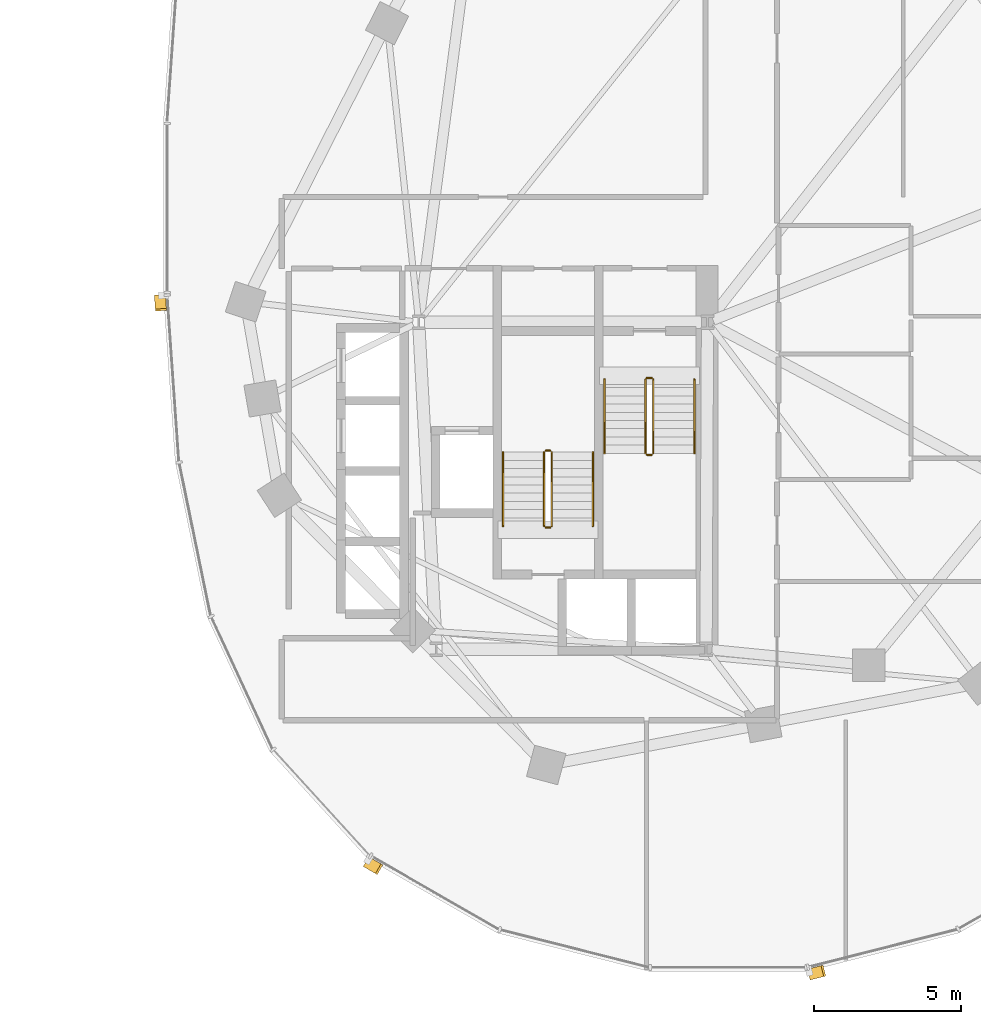
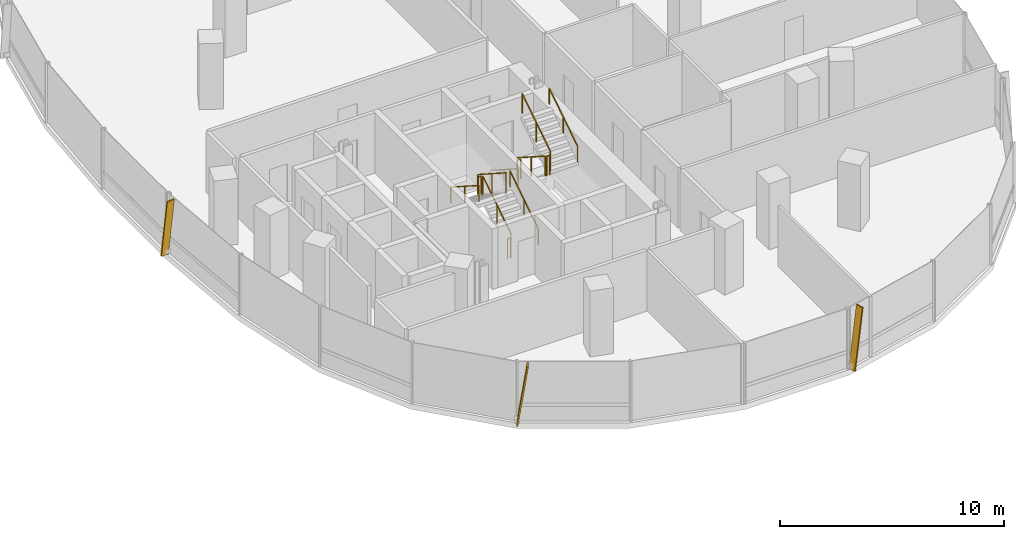
# One storey, part 20 of 21: 12 railings, 3 shading devices.
"""IFC4 building model written with IfcOpenShell, lengths in metres."""

from ifc_helpers import new_model, si_unit, direction, frame, origin, origin_2d, place, context, subcontext, project, spatial, rectangle, extrude, material, material_profile, profile_set, type_object, element, save


model = new_model("IFC4")

# Units and contexts
model_context = context("Model", 3, precision=1e-05, world=origin(), true_north=direction((0.0, 1.0)))
body_context = subcontext(model_context, "Body", "Model", "MODEL_VIEW")
ifc_project = project(units=[si_unit("LENGTHUNIT", "METRE"), si_unit("AREAUNIT", "SQUARE_METRE"), si_unit("VOLUMEUNIT", "CUBIC_METRE"), si_unit("PLANEANGLEUNIT", "RADIAN"), si_unit("MASSUNIT", "GRAM", prefix="KILO"), si_unit("THERMODYNAMICTEMPERATUREUNIT", "KELVIN"), si_unit("POWERUNIT", "WATT")], contexts=[model_context])

# Site, building, storey
site_placement = place(None, origin())
site = spatial("IfcSite", under=ifc_project, at=site_placement, CompositionType="ELEMENT")
building_placement = place(site_placement, origin())
building = spatial("IfcBuilding", under=site, at=building_placement, Name="Cundina Bronze Exchange", CompositionType="ELEMENT")
storey_placement = place(building_placement, frame((0.0, 0.0, 85.39990234375)))
storey = spatial("IfcBuildingStorey", under=building, at=storey_placement, Name="L21", CompositionType="ELEMENT", Elevation=85.39990234375)

# Railings
ifc_material_1 = material(Name="Steel ASTM A36 Painted", Category="steel")
railing_type_1 = type_object("IfcRailingType", Name="RLG-HND-900", PredefinedType="HANDRAIL", material=ifc_material_1)
railing_1_placement = place(storey_placement, frame((27.7900390625, -5.85009765625, 0.18017578125)))
element("IfcRailing", 1, at=railing_1_placement, inside=storey, type_object=railing_type_1, Name="L21 ST-E1 stair handrail 1", PredefinedType="HANDRAIL", context=body_context, shape_type="SweptSolid", body=[
    extrude(rectangle(XDim=0.048095703125, YDim=0.048095703125, at=origin_2d()), frame((0.0, 0.0, 0.8759765625), z_axis=(0.0, -0.841199657755, 0.540724639528), x_axis=(1.0, 0.0, 0.0)), (0.0, 0.0, 1.0), 2.995849609375),
    extrude(rectangle(XDim=0.0419921875, YDim=0.0419921875, at=origin_2d()), origin(), (0.0, 0.0, 1.0), 0.851806640625),
    extrude(rectangle(XDim=0.0419921875, YDim=0.0419921875, at=origin_2d()), frame((0.0, -1.260009765625, 0.81005859375)), (0.0, 0.0, 1.0), 0.851806640625),
    extrude(rectangle(XDim=0.0419921875, YDim=0.0419921875, at=origin_2d()), frame((0.0, -2.52001953125, 1.619873046875)), (0.0, 0.0, 1.0), 0.851806640625),
])
railing_2_placement = place(storey_placement, frame((30.85009765625, -8.3701171875, 1.97998046875)))
element("IfcRailing", 2, at=railing_2_placement, inside=storey, type_object=railing_type_1, Name="L21 ST-E1 stair handrail 2", PredefinedType="HANDRAIL", context=body_context, shape_type="SweptSolid", body=[
    extrude(rectangle(XDim=0.048095703125, YDim=0.048095703125, at=origin_2d()), frame((0.0, 0.0, 0.8759765625), z_axis=(0.0, 0.841162588446, 0.540782303519), x_axis=(-1.0, 0.0, 0.0)), (0.0, 0.0, 1.0), 2.995849609375),
    extrude(rectangle(XDim=0.0419921875, YDim=0.0419921875, at=origin_2d()), origin(), (0.0, 0.0, 1.0), 0.851806640625),
    extrude(rectangle(XDim=0.0419921875, YDim=0.0419921875, at=origin_2d()), frame((0.0, 1.260009765625, 0.81005859375)), (0.0, 0.0, 1.0), 0.851806640625),
    extrude(rectangle(XDim=0.0419921875, YDim=0.0419921875, at=origin_2d()), frame((0.0, 2.52001953125, 1.6201171875)), (0.0, 0.0, 1.0), 0.851806640625),
])
railing_3_placement = place(storey_placement, frame((27.389892578125, -10.85009765625, 0.18017578125)))
element("IfcRailing", 3, at=railing_3_placement, inside=storey, type_object=railing_type_1, Name="L21 ST-E2 stair handrail 1", PredefinedType="HANDRAIL", context=body_context, shape_type="SweptSolid", body=[
    extrude(rectangle(XDim=0.048095703125, YDim=0.048095703125, at=origin_2d()), frame((0.0, 0.0, 0.8759765625), z_axis=(0.0, 0.841199657755, 0.540724639528), x_axis=(-1.0, 0.0, 0.0)), (0.0, 0.0, 1.0), 2.995849609375),
    extrude(rectangle(XDim=0.0419921875, YDim=0.0419921875, at=origin_2d()), origin(), (0.0, 0.0, 1.0), 0.851806640625),
    extrude(rectangle(XDim=0.0419921875, YDim=0.0419921875, at=origin_2d()), frame((0.0, 1.260009765625, 0.81005859375)), (0.0, 0.0, 1.0), 0.851806640625),
    extrude(rectangle(XDim=0.0419921875, YDim=0.0419921875, at=origin_2d()), frame((0.0, 2.52001953125, 1.619873046875)), (0.0, 0.0, 1.0), 0.851806640625),
])
railing_4_placement = place(storey_placement, frame((24.330078125, -8.330078125, 1.97998046875)))
element("IfcRailing", 4, at=railing_4_placement, inside=storey, type_object=railing_type_1, Name="L21 ST-E2 stair handrail 2", PredefinedType="HANDRAIL", context=body_context, shape_type="SweptSolid", body=[
    extrude(rectangle(XDim=0.048095703125, YDim=0.048095703125, at=origin_2d()), frame((0.0, 0.0, 0.8759765625), z_axis=(0.0, -0.841162588446, 0.540782303519), x_axis=(1.0, 0.0, 0.0)), (0.0, 0.0, 1.0), 2.995849609375),
    extrude(rectangle(XDim=0.0419921875, YDim=0.0419921875, at=origin_2d()), origin(), (0.0, 0.0, 1.0), 0.851806640625),
    extrude(rectangle(XDim=0.0419921875, YDim=0.0419921875, at=origin_2d()), frame((0.0, -1.260009765625, 0.81005859375)), (0.0, 0.0, 1.0), 0.851806640625),
    extrude(rectangle(XDim=0.0419921875, YDim=0.0419921875, at=origin_2d()), frame((0.0, -2.52001953125, 1.6201171875)), (0.0, 0.0, 1.0), 0.851806640625),
])
railing_type_2 = type_object("IfcRailingType", Name="RLG-STG-1100", PredefinedType="GUARDRAIL", material=ifc_material_1)
railing_5_placement = place(storey_placement, frame((29.18994140625, -5.85009765625, 0.18017578125)))
element("IfcRailing", 5, at=railing_5_placement, inside=storey, type_object=railing_type_2, Name="L21 ST-E1 stair guard 1", PredefinedType="GUARDRAIL", context=body_context, shape_type="SweptSolid", body=[
    extrude(rectangle(XDim=0.048095703125, YDim=0.048095703125, at=origin_2d()), frame((0.0, 0.0, 1.076171875), z_axis=(0.0, -0.841199657755, 0.540724639528), x_axis=(1.0, 0.0, 0.0)), (0.0, 0.0, 1.0), 2.995849609375),
    extrude(rectangle(XDim=0.0419921875, YDim=0.0419921875, at=origin_2d()), origin(), (0.0, 0.0, 1.0), 1.052001953125),
    extrude(rectangle(XDim=0.0419921875, YDim=0.0419921875, at=origin_2d()), frame((0.0, -1.260009765625, 0.81005859375)), (0.0, 0.0, 1.0), 1.052001953125),
    extrude(rectangle(XDim=0.0419921875, YDim=0.0419921875, at=origin_2d()), frame((0.0, -2.52001953125, 1.619873046875)), (0.0, 0.0, 1.0), 1.052001953125),
])
railing_6_placement = place(storey_placement, frame((29.239990234375, -8.419921875, 1.800048828125)))
element("IfcRailing", 6, at=railing_6_placement, inside=storey, type_object=railing_type_2, Name="L21 ST-E1 stair guard 2", PredefinedType="GUARDRAIL", context=body_context, shape_type="SweptSolid", body=[
    extrude(rectangle(XDim=0.048095703125, YDim=0.048095703125, at=origin_2d()), frame((0.0, 0.0, 1.076171875), z_axis=(1.0, 0.0, 0.0), x_axis=(0.0, 1.0, 0.0)), (0.0, 0.0, 1.0), 0.159912109375),
    extrude(rectangle(XDim=0.0419921875, YDim=0.0419921875, at=origin_2d()), origin(), (0.0, 0.0, 1.0), 1.052001953125),
    extrude(rectangle(XDim=0.0419921875, YDim=0.0419921875, at=origin_2d()), frame((0.159912109375, 0.0, 0.0)), (0.0, 0.0, 1.0), 1.052001953125),
])
railing_7_placement = place(storey_placement, frame((29.449951171875, -8.3701171875, 1.97998046875)))
element("IfcRailing", 7, at=railing_7_placement, inside=storey, type_object=railing_type_2, Name="L21 ST-E1 stair guard 3", PredefinedType="GUARDRAIL", context=body_context, shape_type="SweptSolid", body=[
    extrude(rectangle(XDim=0.048095703125, YDim=0.048095703125, at=origin_2d()), frame((0.0, 0.0, 1.076171875), z_axis=(0.0, 0.841162588446, 0.540782303519), x_axis=(-1.0, 0.0, 0.0)), (0.0, 0.0, 1.0), 2.995849609375),
    extrude(rectangle(XDim=0.0419921875, YDim=0.0419921875, at=origin_2d()), origin(), (0.0, 0.0, 1.0), 1.052001953125),
    extrude(rectangle(XDim=0.0419921875, YDim=0.0419921875, at=origin_2d()), frame((0.0, 1.260009765625, 0.81005859375)), (0.0, 0.0, 1.0), 1.052001953125),
    extrude(rectangle(XDim=0.0419921875, YDim=0.0419921875, at=origin_2d()), frame((0.0, 2.52001953125, 1.6201171875)), (0.0, 0.0, 1.0), 1.052001953125),
])
railing_8_placement = place(storey_placement, frame((29.239990234375, -5.800048828125, 0.0)))
element("IfcRailing", 8, at=railing_8_placement, inside=storey, type_object=railing_type_2, Name="L21 ST-E1 stair guard 4", PredefinedType="GUARDRAIL", context=body_context, shape_type="SweptSolid", body=[
    extrude(rectangle(XDim=0.048095703125, YDim=0.048095703125, at=origin_2d()), frame((0.0, 0.0, 1.076171875), z_axis=(1.0, 0.0, 0.0), x_axis=(0.0, 1.0, 0.0)), (0.0, 0.0, 1.0), 0.159912109375),
    extrude(rectangle(XDim=0.0419921875, YDim=0.0419921875, at=origin_2d()), origin(), (0.0, 0.0, 1.0), 1.052001953125),
    extrude(rectangle(XDim=0.0419921875, YDim=0.0419921875, at=origin_2d()), frame((0.159912109375, 0.0, 0.0)), (0.0, 0.0, 1.0), 1.052001953125),
])
railing_9_placement = place(storey_placement, frame((25.989990234375, -10.85009765625, 0.18017578125)))
element("IfcRailing", 9, at=railing_9_placement, inside=storey, type_object=railing_type_2, Name="L21 ST-E2 stair guard 1", PredefinedType="GUARDRAIL", context=body_context, shape_type="SweptSolid", body=[
    extrude(rectangle(XDim=0.048095703125, YDim=0.048095703125, at=origin_2d()), frame((0.0, 0.0, 1.076171875), z_axis=(0.0, 0.841199657755, 0.540724639528), x_axis=(-1.0, 0.0, 0.0)), (0.0, 0.0, 1.0), 2.995849609375),
    extrude(rectangle(XDim=0.0419921875, YDim=0.0419921875, at=origin_2d()), origin(), (0.0, 0.0, 1.0), 1.052001953125),
    extrude(rectangle(XDim=0.0419921875, YDim=0.0419921875, at=origin_2d()), frame((0.0, 1.260009765625, 0.81005859375)), (0.0, 0.0, 1.0), 1.052001953125),
    extrude(rectangle(XDim=0.0419921875, YDim=0.0419921875, at=origin_2d()), frame((0.0, 2.52001953125, 1.619873046875)), (0.0, 0.0, 1.0), 1.052001953125),
])
railing_10_placement = place(storey_placement, frame((25.93994140625, -8.280029296875, 1.800048828125)))
element("IfcRailing", 10, at=railing_10_placement, inside=storey, type_object=railing_type_2, Name="L21 ST-E2 stair guard 2", PredefinedType="GUARDRAIL", context=body_context, shape_type="SweptSolid", body=[
    extrude(rectangle(XDim=0.048095703125, YDim=0.048095703125, at=origin_2d()), frame((0.0, 0.0, 1.076171875), z_axis=(-1.0, 0.0, 0.0), x_axis=(0.0, -1.0, 0.0)), (0.0, 0.0, 1.0), 0.159912109375),
    extrude(rectangle(XDim=0.0419921875, YDim=0.0419921875, at=origin_2d()), origin(), (0.0, 0.0, 1.0), 1.052001953125),
    extrude(rectangle(XDim=0.0419921875, YDim=0.0419921875, at=origin_2d()), frame((-0.159912109375, 0.0, 0.0)), (0.0, 0.0, 1.0), 1.052001953125),
])
railing_11_placement = place(storey_placement, frame((25.72998046875, -8.330078125, 1.97998046875)))
element("IfcRailing", 11, at=railing_11_placement, inside=storey, type_object=railing_type_2, Name="L21 ST-E2 stair guard 3", PredefinedType="GUARDRAIL", context=body_context, shape_type="SweptSolid", body=[
    extrude(rectangle(XDim=0.048095703125, YDim=0.048095703125, at=origin_2d()), frame((0.0, 0.0, 1.076171875), z_axis=(0.0, -0.841162588446, 0.540782303519), x_axis=(1.0, 0.0, 0.0)), (0.0, 0.0, 1.0), 2.995849609375),
    extrude(rectangle(XDim=0.0419921875, YDim=0.0419921875, at=origin_2d()), origin(), (0.0, 0.0, 1.0), 1.052001953125),
    extrude(rectangle(XDim=0.0419921875, YDim=0.0419921875, at=origin_2d()), frame((0.0, -1.260009765625, 0.81005859375)), (0.0, 0.0, 1.0), 1.052001953125),
    extrude(rectangle(XDim=0.0419921875, YDim=0.0419921875, at=origin_2d()), frame((0.0, -2.52001953125, 1.6201171875)), (0.0, 0.0, 1.0), 1.052001953125),
])
railing_12_placement = place(storey_placement, frame((25.93994140625, -10.89990234375, 0.0)))
element("IfcRailing", 12, at=railing_12_placement, inside=storey, type_object=railing_type_2, Name="L21 ST-E2 stair guard 4", PredefinedType="GUARDRAIL", context=body_context, shape_type="SweptSolid", body=[
    extrude(rectangle(XDim=0.048095703125, YDim=0.048095703125, at=origin_2d()), frame((0.0, 0.0, 1.076171875), z_axis=(-1.0, 0.0, 0.0), x_axis=(0.0, -1.0, 0.0)), (0.0, 0.0, 1.0), 0.159912109375),
    extrude(rectangle(XDim=0.0419921875, YDim=0.0419921875, at=origin_2d()), origin(), (0.0, 0.0, 1.0), 1.052001953125),
    extrude(rectangle(XDim=0.0419921875, YDim=0.0419921875, at=origin_2d()), frame((-0.159912109375, 0.0, 0.0)), (0.0, 0.0, 1.0), 1.052001953125),
])

# Shading devices
ifc_material_2 = material(Name="Anodised Bronze Aluminium 6063-T6", Category="aluminium")
ifc_material_profile = material_profile(ifc_material_2, rectangle(XDim=0.070068359375, YDim=0.3798828125, at=origin_2d()), Name="FIN70X380", Category="aluminium")
ifc_profile_set = profile_set([ifc_material_profile], Name="Anodised Bronze Aluminium 6063-T6")
shading_device_type = type_object("IfcShadingDeviceType", Name="SHD-FIN-BRZ380", PredefinedType="USERDEFINED", material=ifc_profile_set)
for number, where, z_axis, x_axis, name in (
    (13, (12.6259765625, -2.993896484375, 0.02001953125), (0.010224545828, -0.145292278041, 0.989335945271), (-0.069450050635, 0.986895284755, 0.145651595925), "L21 Diagonal Bronze Solar Fin 1"),
    (14, (19.685791015625, -22.314208984375, 0.02001953125), (0.126324692219, -0.072534823274, 0.989333498649), (-0.857958278167, 0.492634108109, 0.145668213594), "L21 Diagonal Bronze Solar Fin 5"),
    (15, (34.787353515625, -26.138427734375, 0.02001953125), (0.141217047268, 0.035711761166, 0.989334329575), (-0.95914051701, -0.242552848478, 0.145662570088), "L21 Diagonal Bronze Solar Fin 1"),
):
    element("IfcShadingDevice", number, at=place(storey_placement, frame(where, z_axis=z_axis, x_axis=x_axis)), inside=storey, type_object=shading_device_type, Name=name, ObjectType="FIN", PredefinedType="USERDEFINED", context=body_context, shape_type="SweptSolid", body=[
        extrude(rectangle(XDim=0.070068359375, YDim=0.3798828125, at=origin_2d()), origin(), (0.0, 0.0, 1.0), 3.295166015625),
    ])

save(model, "model.ifc")
